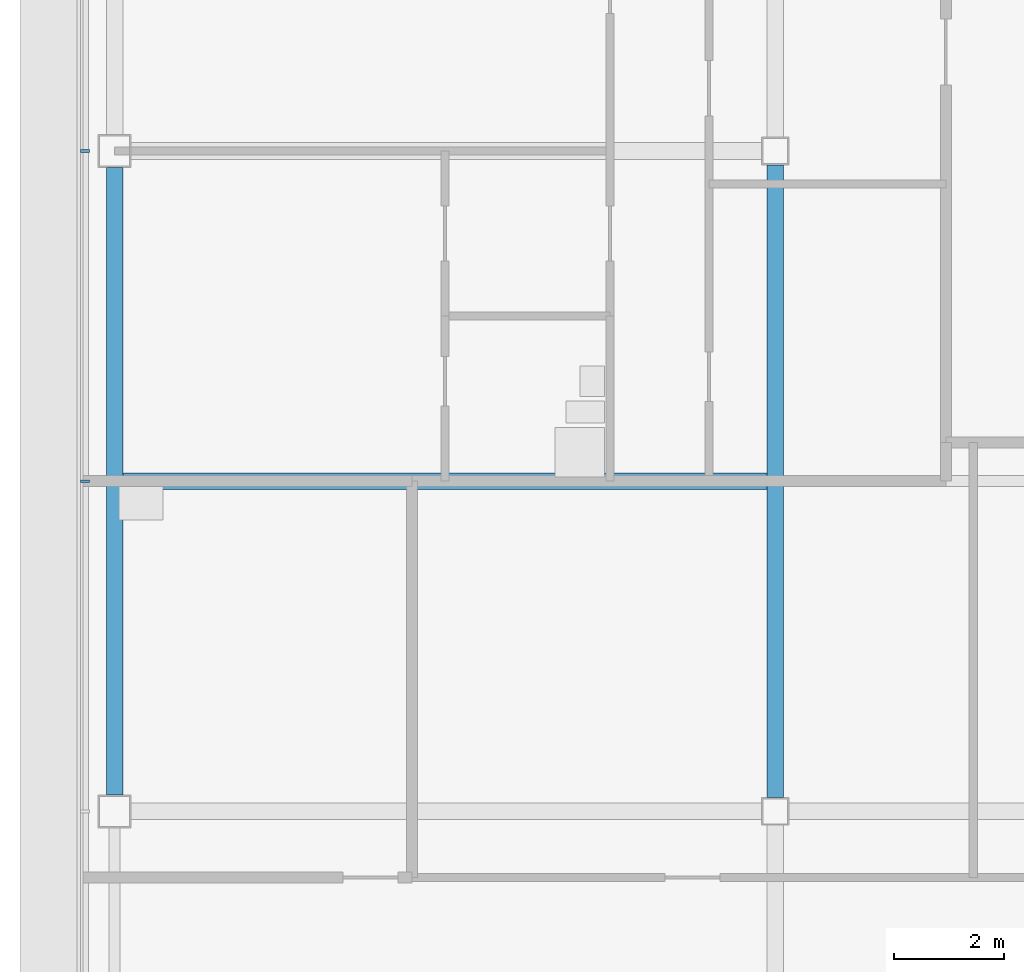
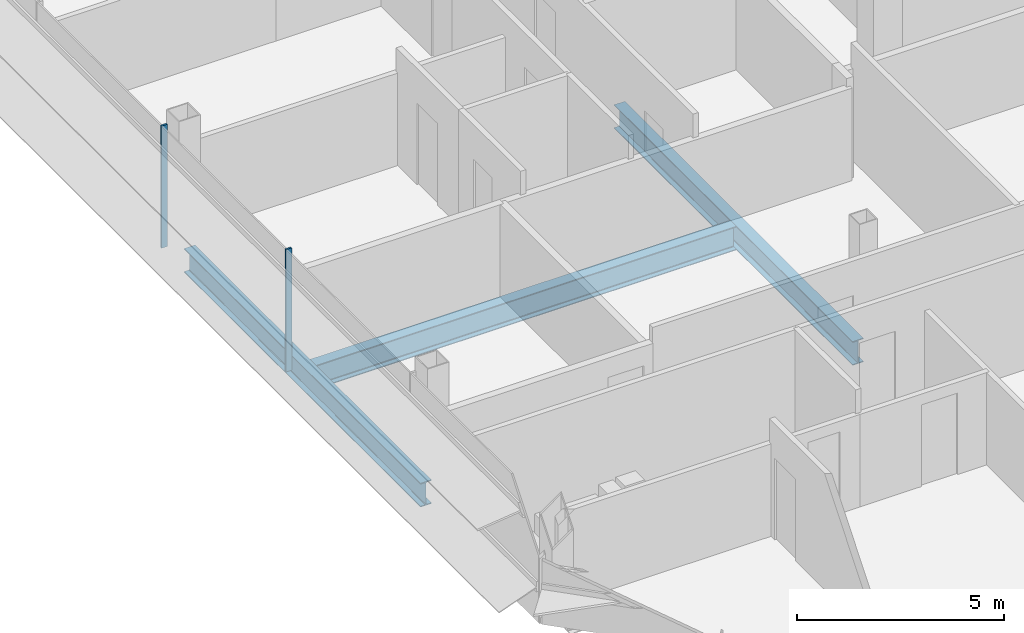
# One storey, part 5 of 28: 3 beams, 2 members, 1 element without a shape of its own.
"""IFC4 building model written with IfcOpenShell, lengths in metres."""

from ifc_helpers import new_model, si_unit, direction, frame, origin, origin_2d, place, context, subcontext, project, spatial, rectangle, i_section, extrude, material, material_profile, profile_set, type_object, element, aggregate, save


model = new_model("IFC4")

# Units and contexts
model_context = context("Model", 3, precision=1e-05, world=origin(), true_north=direction((0.0, 1.0)))
body_context = subcontext(model_context, "Body", "Model", "MODEL_VIEW")
ifc_project = project(units=[si_unit("LENGTHUNIT", "METRE"), si_unit("AREAUNIT", "SQUARE_METRE"), si_unit("VOLUMEUNIT", "CUBIC_METRE"), si_unit("PLANEANGLEUNIT", "RADIAN"), si_unit("MASSUNIT", "GRAM", prefix="KILO")], contexts=[model_context])

# Site, building, storey
site_placement = place(None, origin())
site = spatial("IfcSite", under=ifc_project, at=site_placement, CompositionType="ELEMENT")
building_placement = place(site_placement, origin())
building = spatial("IfcBuilding", under=site, at=building_placement, Name="Sorahane Residences", CompositionType="ELEMENT")
storey_placement = place(building_placement, frame((0.0, 0.0, 273.800048828125)))
storey = spatial("IfcBuildingStorey", under=building, at=storey_placement, Name="L65", CompositionType="ELEMENT", Elevation=273.800048828125)

# Curtain wall, members
ifc_material_1 = material(Name="Dark low-e glass and black anodised aluminium", Category="aluminium")
curtain_wall_type = type_object("IfcCurtainWallType", Name="Curtain wall CW-1 Typical unitised wall", PredefinedType="NOTDEFINED", material=ifc_material_1)
curtain_wall_placement = place(storey_placement, origin())
curtain_wall = element("IfcCurtainWall", 1, at=curtain_wall_placement, inside=storey, type_object=curtain_wall_type, Name="CW-1 curtain wall L65 W1", PredefinedType="NOTDEFINED")
ifc_material_2 = material(Name="Black anodised aluminium", Category="aluminium")
ifc_material_profile_1 = material_profile(ifc_material_2, rectangle(XDim=0.159912109375, YDim=0.050048828125, at=origin_2d()), Name="Curtain wall mullion CW-1 black anodised aluminium 50x160")
ifc_profile_set_1 = profile_set([ifc_material_profile_1], Name="Black anodised aluminium")
member_type = type_object("IfcMemberType", Name="Curtain wall mullion CW-1 black anodised aluminium 50x160", PredefinedType="MULLION", material=ifc_profile_set_1)
member_1_placement = place(storey_placement, frame((-12.5400390625, 24.0, -0.179931640625), z_axis=(0.0, 0.0, 1.0), x_axis=(-1.0, 0.0, 0.0)))
member_1 = element("IfcMember", 2, at=member_1_placement, type_object=member_type, Name="CW-1 mullion L65 W1.4", PredefinedType="MULLION", context=body_context, shape_type="SweptSolid", body=[
    extrude(rectangle(XDim=0.159912109375, YDim=0.050048828125, at=origin_2d()), origin(), (0.0, 0.0, 1.0), 3.599853515625),
])
member_2_placement = place(storey_placement, frame((-12.5400390625, 18.0, -0.179931640625), z_axis=(0.0, 0.0, 1.0), x_axis=(-1.0, 0.0, 0.0)))
member_2 = element("IfcMember", 3, at=member_2_placement, type_object=member_type, Name="CW-1 mullion L65 W1.5", PredefinedType="MULLION", context=body_context, shape_type="SweptSolid", body=[
    extrude(rectangle(XDim=0.159912109375, YDim=0.050048828125, at=origin_2d()), origin(), (0.0, 0.0, 1.0), 3.599853515625),
])
aggregate(curtain_wall, [member_1, member_2])

# Beams
ifc_material_3 = material(Name="Steel Q355B", Category="steel")
ifc_material_profile_2 = material_profile(ifc_material_3, i_section(OverallWidth=0.300048828125, OverallDepth=0.699951171875, WebThickness=0.012939453125, FlangeThickness=0.02392578125, FilletRadius=0.028076171875, at=origin_2d()), Name="HN 700x300x13x24")
ifc_profile_set_2 = profile_set([ifc_material_profile_2], Name="Steel Q355B")
beam_type = type_object("IfcBeamType", Name="Steel floor beam HN 700x300x13x24 Q355B", PredefinedType="BEAM", material=ifc_profile_set_2)
beam_1_placement = place(storey_placement, frame((-12.0, 12.300048828125, -0.530029296875), z_axis=(0.0, 1.0, 0.0), x_axis=(-1.0, 0.0, 0.0)))
element("IfcBeam", 4, at=beam_1_placement, inside=storey, type_object=beam_type, Name="Beam L65 021", PredefinedType="BEAM", context=body_context, shape_type="SweptSolid", body=[
    extrude(i_section(OverallWidth=0.300048828125, OverallDepth=0.699951171875, WebThickness=0.012939453125, FlangeThickness=0.02392578125, FilletRadius=0.028076171875, at=origin_2d()), origin(), (0.0, 0.0, 1.0), 11.39990234375),
])
beam_2_placement = place(storey_placement, frame((0.0, 12.25, -0.530029296875), z_axis=(0.0, 1.0, 0.0), x_axis=(-1.0, 0.0, 0.0)))
element("IfcBeam", 5, at=beam_2_placement, inside=storey, type_object=beam_type, Name="Beam L65 025", PredefinedType="BEAM", context=body_context, shape_type="SweptSolid", body=[
    extrude(i_section(OverallWidth=0.300048828125, OverallDepth=0.699951171875, WebThickness=0.012939453125, FlangeThickness=0.02392578125, FilletRadius=0.028076171875, at=origin_2d()), origin(), (0.0, 0.0, 1.0), 11.5),
])
beam_3_placement = place(storey_placement, frame((-11.85009765625, 18.0, -0.530029296875), z_axis=(1.0, 0.0, 0.0), x_axis=(0.0, 1.0, 0.0)))
element("IfcBeam", 6, at=beam_3_placement, inside=storey, type_object=beam_type, Name="Beam L65 078", PredefinedType="BEAM", context=body_context, shape_type="SweptSolid", body=[
    extrude(i_section(OverallWidth=0.300048828125, OverallDepth=0.699951171875, WebThickness=0.012939453125, FlangeThickness=0.02392578125, FilletRadius=0.028076171875, at=origin_2d()), origin(), (0.0, 0.0, 1.0), 11.7001953125),
])

save(model, "model.ifc")
